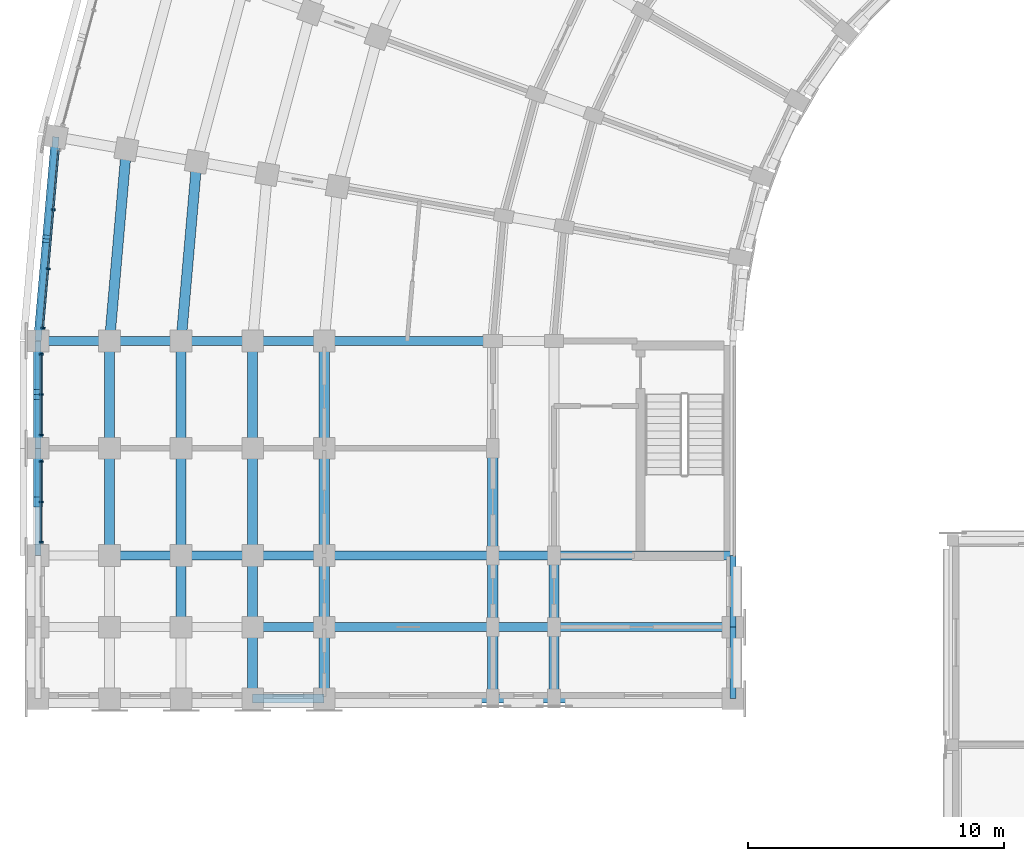
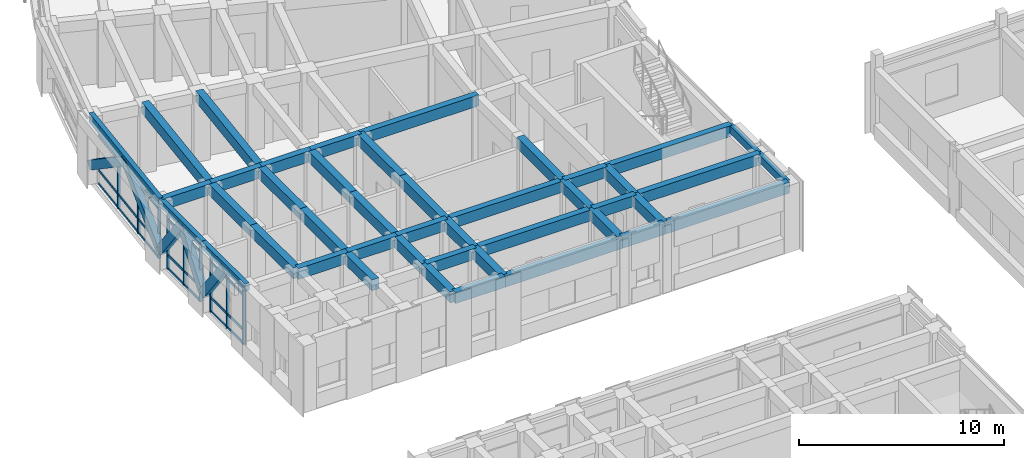
# One storey, part 18 of 97: 49 beams, 21 members, 3 elements without a shape of their own.
"""IFC4 building model written with IfcOpenShell, lengths in metres."""

import ifcopenshell
import ifcopenshell.guid

model = None  # the IFC model being written
_history = None  # IfcOwnerHistory: only IFC2X3 demands one
_inside = {}  # id of a spatial element -> (the spatial element, [elements in it])
_under = {}  # id of a project, library or spatial element -> (it, [spatial elements below it])
_declared = {}  # id of a project -> (the project, [libraries it declares])
_typed = {}  # id of a type object -> (the type object, [elements of that type])
_made_of = {}  # id of a material, layer set ... -> (it, [elements and type objects made of it])


def new_model(schema):
    """Start an empty IFC model of exactly this schema.

    Asked for "IFC4X3", IfcOpenShell would pick the latest addendum, in which some entities
    have other attributes; the version numbers below select the first issue.
    IFC2X3 requires an IfcOwnerHistory on every rooted entity: one is made here for all.
    """
    global model, _history
    if schema == "IFC4X3":
        model = ifcopenshell.file(schema_version=(4, 3, 0, 0))
    else:
        model = ifcopenshell.file(schema=schema)
    _inside.clear()
    _under.clear()
    _declared.clear()
    _typed.clear()
    _made_of.clear()
    _history = None
    if model.schema == "IFC2X3":
        org = make("IfcOrganization", Name="unknown")
        user = make(
            "IfcPersonAndOrganization",
            ThePerson=make("IfcPerson", FamilyName="unknown"),
            TheOrganization=org,
        )
        app = make(
            "IfcApplication",
            ApplicationDeveloper=org,
            Version="unknown",
            ApplicationFullName="unknown",
            ApplicationIdentifier="unknown",
        )
        _history = make(
            "IfcOwnerHistory",
            OwningUser=user,
            OwningApplication=app,
            ChangeAction="ADDED",
            CreationDate=0,
        )
    return model


def make(cls, **values):
    """One entity of the class cls with the attributes given. An attribute that is None is left unset."""
    return model.create_entity(
        cls, **{name: value for name, value in values.items() if value is not None}
    )


def rooted(cls, **values):
    """An entity with a GlobalId (a new one), such as an element, a storey or a relation."""
    return make(cls, GlobalId=ifcopenshell.guid.new(), OwnerHistory=_history, **values)


def si_unit(unit_type, name, prefix=None):
    """IfcSIUnit, for example si_unit("LENGTHUNIT", "METRE", prefix="MILLI")."""
    return make("IfcSIUnit", UnitType=unit_type, Prefix=prefix, Name=name)


def assignment(units):
    """IfcUnitAssignment: the units of a project."""
    return None if units is None else make("IfcUnitAssignment", Units=units)


def point(xyz):
    """IfcCartesianPoint."""
    return None if xyz is None else make("IfcCartesianPoint", Coordinates=xyz)


def direction(xyz):
    """IfcDirection."""
    return None if xyz is None else make("IfcDirection", DirectionRatios=xyz)


def frame(location, z_axis=None, x_axis=None):
    """IfcAxis2Placement3D, a coordinate frame: its origin and axes. An axis left out is left unset."""
    return make(
        "IfcAxis2Placement3D",
        Location=point(location),
        Axis=direction(z_axis),
        RefDirection=direction(x_axis),
    )


def frame_2d(location, x_axis=None):
    """IfcAxis2Placement2D, a coordinate frame in the plane: its origin and x axis."""
    return make(
        "IfcAxis2Placement2D", Location=point(location), RefDirection=direction(x_axis)
    )


def origin():
    """The frame at (0, 0, 0) with its axes left unset."""
    return frame((0.0, 0.0, 0.0))


def origin_2d():
    """The frame at (0, 0) in the plane with its x axis left unset."""
    return frame_2d((0.0, 0.0))


def place(relative_to, where):
    """IfcLocalPlacement: puts the frame where relative to a parent placement (None: the world)."""
    return make(
        "IfcLocalPlacement", PlacementRelTo=relative_to, RelativePlacement=where
    )


def context(
    kind, dimensions, precision=None, world=None, true_north=None, identifier=None
):
    """IfcGeometricRepresentationContext, for example the 3D "Model" context."""
    return make(
        "IfcGeometricRepresentationContext",
        ContextIdentifier=identifier,
        ContextType=kind,
        CoordinateSpaceDimension=dimensions,
        Precision=precision,
        WorldCoordinateSystem=world,
        TrueNorth=true_north,
    )


def subcontext(parent, identifier, kind, view, scale=None):
    """IfcGeometricRepresentationSubContext, for example "Body" below "Model"."""
    return make(
        "IfcGeometricRepresentationSubContext",
        ContextIdentifier=identifier,
        ContextType=kind,
        ParentContext=parent,
        TargetScale=scale,
        TargetView=view,
    )


def project(units=None, contexts=None):
    """IfcProject with its units and contexts."""
    return rooted(
        "IfcProject",
        Name="project",
        RepresentationContexts=contexts,
        UnitsInContext=assignment(units),
    )


def spatial(cls, under=None, at=None, **own):
    """A site, building, storey or space (cls), placed at a placement, below another one or the project."""
    s = rooted(cls, ObjectPlacement=at, **own)
    if under is not None:
        _under.setdefault(under.id(), (under, []))[1].append(s)
    return s


def profile(cls, at=None, kind="AREA", **sizes):
    """A parametric profile (cls). Its sizes go by their IFC names, for example OverallWidth=200.0."""
    return make(cls, ProfileType=kind, Position=at, **sizes)


def rectangle(**sizes):
    """IfcRectangleProfileDef."""
    return profile("IfcRectangleProfileDef", **sizes)


def extrude(swept, where, along, depth):
    """IfcExtrudedAreaSolid: the profile swept, set in the frame where, extruded along a direction by depth."""
    return make(
        "IfcExtrudedAreaSolid",
        SweptArea=swept,
        Position=where,
        ExtrudedDirection=direction(along),
        Depth=depth,
    )


def shape(context_of_items, identifier, shape_type, items):
    """IfcShapeRepresentation: the items that make up one representation, for example the "Body"."""
    return make(
        "IfcShapeRepresentation",
        ContextOfItems=context_of_items,
        RepresentationIdentifier=identifier,
        RepresentationType=shape_type,
        Items=items,
    )


def material(Name=None, Category=None):
    """IfcMaterial."""
    return make("IfcMaterial", Name=Name, Category=Category)


def material_profile(
    of_material, cross_section, Name=None, Category=None, Priority=None
):
    """IfcMaterialProfile: a cross section and its material."""
    return make(
        "IfcMaterialProfile",
        Name=Name,
        Material=of_material,
        Profile=cross_section,
        Priority=Priority,
        Category=Category,
    )


def profile_set(profiles, Name=None, composite=None):
    """IfcMaterialProfileSet."""
    return make(
        "IfcMaterialProfileSet",
        Name=Name,
        MaterialProfiles=profiles,
        CompositeProfile=composite,
    )


def made_of(thing, what):
    """Note that an element or type object is made of a material, layer set ...; save() writes the relation."""
    if what is not None:
        _made_of.setdefault(what.id(), (what, []))[1].append(thing)
    return thing


def type_object(cls, material=None, **own):
    """A type object (cls), such as IfcWallType, which elements share."""
    return made_of(rooted(cls, **own), material)


def element(
    cls,
    number,
    at=None,
    inside=None,
    cuts=None,
    type_object=None,
    material=None,
    context=None,
    identifier="Body",
    shape_type=None,
    held_by="IfcProductDefinitionShape",
    body=None,
    shapes=None,
    **own,
):
    """One element of the class cls, such as IfcWall. Its Tag is "e" and its number.

    at: its placement. inside: the storey or other place that contains it. cuts: it is an
    opening in that element (IfcRelVoidsElement). A single representation is given by context,
    identifier, shape_type and body (its items); several are given by shapes. held_by: the class
    of the entity that holds the representations. save() writes the other relations.
    """
    e = rooted(cls, Tag="e%d" % number, ObjectPlacement=at, **own)
    if body is not None:
        shapes = [shape(context, identifier, shape_type, body)]
    if shapes is not None:
        e.Representation = make(held_by, Representations=shapes)
    if inside is not None:
        _inside.setdefault(inside.id(), (inside, []))[1].append(e)
    if cuts is not None:
        rooted(
            "IfcRelVoidsElement", RelatingBuildingElement=cuts, RelatedOpeningElement=e
        )
    if type_object is not None:
        _typed.setdefault(type_object.id(), (type_object, []))[1].append(e)
    return made_of(e, material)


def aggregate(whole, parts):
    """IfcRelAggregates: a whole, such as a stair, and the parts it consists of."""
    return rooted("IfcRelAggregates", RelatingObject=whole, RelatedObjects=parts)


def save(model, path):
    """Write the relations noted so far, then the file.

    IfcRelAggregates (storeys below a building ...), IfcRelContainedInSpatialStructure (elements
    in a storey), IfcRelDefinesByType, IfcRelAssociatesMaterial and IfcRelDeclares: one each for
    every whole, place, type object, material and project.
    """
    for whole, parts in _under.values():
        aggregate(whole, parts)
    for where, things in _inside.values():
        rooted(
            "IfcRelContainedInSpatialStructure",
            RelatedElements=things,
            RelatingStructure=where,
        )
    for kind, things in _typed.values():
        rooted("IfcRelDefinesByType", RelatedObjects=things, RelatingType=kind)
    for what, things in _made_of.values():
        rooted("IfcRelAssociatesMaterial", RelatedObjects=things, RelatingMaterial=what)
    for by, libraries in _declared.values():
        rooted("IfcRelDeclares", RelatingContext=by, RelatedDefinitions=libraries)
    model.write(path)


model = new_model("IFC4")

# Units and contexts
model_context = context("Model", 3, precision=1e-05, world=origin(), true_north=direction((0.0, 1.0)))
body_context = subcontext(model_context, "Body", "Model", "MODEL_VIEW")
ifc_project = project(units=[si_unit("LENGTHUNIT", "METRE"), si_unit("AREAUNIT", "SQUARE_METRE"), si_unit("VOLUMEUNIT", "CUBIC_METRE"), si_unit("PLANEANGLEUNIT", "RADIAN"), si_unit("MASSUNIT", "GRAM", prefix="KILO")], contexts=[model_context])

# Site, building, storey
site_placement = place(None, origin())
site = spatial("IfcSite", under=ifc_project, at=site_placement, CompositionType="ELEMENT")
building_placement = place(site_placement, origin())
building = spatial("IfcBuilding", under=site, at=building_placement, Name="Kiranvali Square Residences", CompositionType="ELEMENT")
storey_placement = place(building_placement, frame((0.0, 0.0, 4.5)))
storey = spatial("IfcBuildingStorey", under=building, at=storey_placement, Name="L01", CompositionType="ELEMENT", Elevation=4.5)

# Beams
ifc_material_1 = material(Name="Concrete M40 (40 MPa)", Category="concrete")
ifc_material_profile_1 = material_profile(ifc_material_1, rectangle(XDim=0.35009765625, YDim=0.5, at=origin_2d()), Name="RC 350x500")
ifc_profile_set_1 = profile_set([ifc_material_profile_1], Name="Concrete M40 (40 MPa)")
beam_type_1 = type_object("IfcBeamType", Name="AR-M40-350x500", PredefinedType="USERDEFINED", material=ifc_profile_set_1)
for number, where, z_axis, x_axis, name in (
    (1, (2.895263671875, 95.748046875, 0.89990234375), (-0.07164281584, -0.818861711603, 0.569502242498), (0.996194518621, -0.087157794078, 0.0), "Classical pointed Ottoman arch rib ARCH-A-CRV-7-08.1"),
    (2, (2.54931640625, 91.7939453125, 3.64990234375), (-0.07164281584, -0.818861711603, -0.569502242498), (0.996194518621, -0.087157794078, 0.0), "Classical pointed Ottoman arch rib ARCH-A-CRV-7-08.2"),
):
    element("IfcBeam", number, at=place(storey_placement, frame(where, z_axis=z_axis, x_axis=x_axis)), inside=storey, type_object=beam_type_1, Name=name, ObjectType="ARCH RIB", PredefinedType="USERDEFINED", context=body_context, shape_type="SweptSolid", body=[
        extrude(rectangle(XDim=0.35009765625, YDim=0.5, at=origin_2d()), origin(), (0.0, 0.0, 1.0), 4.828857421875),
    ])
for number, where, z_axis, x_axis, name in (
    (3, (2.199951171875, 87.760009765625, 0.89990234375), (0.0, -0.599545163906, 0.800340925129), (1.0, 0.0, 0.0), "Classical pointed Ottoman arch rib ARCH-A-A2-0.1"),
    (4, (2.199951171875, 85.699951171875, 3.64990234375), (0.0, -0.599545163906, -0.800340925129), (1.0, 0.0, 0.0), "Classical pointed Ottoman arch rib ARCH-A-A2-0.2"),
    (5, (2.199951171875, 83.56005859375, 0.89990234375), (0.0, -0.599545163906, 0.800340925129), (1.0, 0.0, 0.0), "Classical pointed Ottoman arch rib ARCH-A-A2-1.1"),
):
    element("IfcBeam", number, at=place(storey_placement, frame(where, z_axis=z_axis, x_axis=x_axis)), inside=storey, type_object=beam_type_1, Name=name, ObjectType="ARCH RIB", PredefinedType="USERDEFINED", context=body_context, shape_type="SweptSolid", body=[
        extrude(rectangle(XDim=0.35009765625, YDim=0.5, at=origin_2d()), origin(), (0.0, 0.0, 1.0), 3.43603515625),
    ])
ifc_material_profile_2 = material_profile(ifc_material_1, rectangle(XDim=0.35009765625, YDim=0.64990234375, at=origin_2d()), Name="RC 350x650")
ifc_profile_set_2 = profile_set([ifc_material_profile_2], Name="Concrete M40 (40 MPa)")
beam_type_2 = type_object("IfcBeamType", Name="BM-M40-350x650", PredefinedType="BEAM", material=ifc_profile_set_2)
beam_1_placement = place(storey_placement, frame((20.0, 87.800048828125, 3.655029296875), z_axis=(-1.0, 0.0, 0.0), x_axis=(0.0, -1.0, 0.0)))
element("IfcBeam", 6, at=beam_1_placement, inside=storey, type_object=beam_type_2, Name="L01 beam BM-A-L01-A2T0-23", PredefinedType="BEAM", context=body_context, shape_type="SweptSolid", body=[
    extrude(rectangle(XDim=0.35009765625, YDim=0.64990234375, at=origin_2d()), origin(), (0.0, 0.0, 1.0), 6.60009765625),
])
beam_2_placement = place(storey_placement, frame((13.39990234375, 87.800048828125, 3.655029296875), z_axis=(-1.0, 0.0, 0.0), x_axis=(0.0, -1.0, 0.0)))
element("IfcBeam", 7, at=beam_2_placement, inside=storey, type_object=beam_type_2, Name="L01 beam BM-A-L01-A2T0-34", PredefinedType="BEAM", context=body_context, shape_type="SweptSolid", body=[
    extrude(rectangle(XDim=0.35009765625, YDim=0.64990234375, at=origin_2d()), origin(), (0.0, 0.0, 1.0), 2.7998046875),
])
for number, where, z_axis, x_axis, name in (
    (8, (10.60009765625, 87.800048828125, 3.655029296875), (-1.0, 0.0, 0.0), (0.0, -1.0, 0.0), "L01 beam BM-A-L01-A2T0-45"),
    (9, (7.800048828125, 87.800048828125, 3.655029296875), (-1.0, 0.0, 0.0), (0.0, -1.0, 0.0), "L01 beam BM-A-L01-A2T0-56"),
    (10, (5.0, 87.800048828125, 3.655029296875), (-1.0, 0.0, 0.0), (0.0, -1.0, 0.0), "L01 beam BM-A-L01-A2T0-67"),
):
    element("IfcBeam", number, at=place(storey_placement, frame(where, z_axis=z_axis, x_axis=x_axis)), inside=storey, type_object=beam_type_2, Name=name, PredefinedType="BEAM", context=body_context, shape_type="SweptSolid", body=[
        extrude(rectangle(XDim=0.35009765625, YDim=0.64990234375, at=origin_2d()), origin(), (0.0, 0.0, 1.0), 2.800048828125),
    ])
beam_3_placement = place(storey_placement, frame((29.39990234375, 79.39990234375, 3.655029296875), z_axis=(-1.0, 0.0, 0.0), x_axis=(0.0, -1.0, 0.0)))
element("IfcBeam", 11, at=beam_3_placement, inside=storey, type_object=beam_type_2, Name="L01 beam BM-A-L01-A2T1-01", PredefinedType="BEAM", context=body_context, shape_type="SweptSolid", body=[
    extrude(rectangle(XDim=0.35009765625, YDim=0.64990234375, at=origin_2d()), origin(), (0.0, 0.0, 1.0), 7.0),
])
beam_4_placement = place(storey_placement, frame((22.39990234375, 79.39990234375, 3.655029296875), z_axis=(-1.0, 0.0, 0.0), x_axis=(0.0, -1.0, 0.0)))
element("IfcBeam", 12, at=beam_4_placement, inside=storey, type_object=beam_type_2, Name="L01 beam BM-A-L01-A2T1-12", PredefinedType="BEAM", context=body_context, shape_type="SweptSolid", body=[
    extrude(rectangle(XDim=0.35009765625, YDim=0.64990234375, at=origin_2d()), origin(), (0.0, 0.0, 1.0), 2.39990234375),
])
beam_5_placement = place(storey_placement, frame((20.0, 79.39990234375, 3.655029296875), z_axis=(-1.0, 0.0, 0.0), x_axis=(0.0, -1.0, 0.0)))
element("IfcBeam", 13, at=beam_5_placement, inside=storey, type_object=beam_type_2, Name="L01 beam BM-A-L01-A2T1-23", PredefinedType="BEAM", context=body_context, shape_type="SweptSolid", body=[
    extrude(rectangle(XDim=0.35009765625, YDim=0.64990234375, at=origin_2d()), origin(), (0.0, 0.0, 1.0), 6.60009765625),
])
beam_6_placement = place(storey_placement, frame((13.39990234375, 79.39990234375, 3.655029296875), z_axis=(-1.0, 0.0, 0.0), x_axis=(0.0, -1.0, 0.0)))
element("IfcBeam", 14, at=beam_6_placement, inside=storey, type_object=beam_type_2, Name="L01 beam BM-A-L01-A2T1-34", PredefinedType="BEAM", context=body_context, shape_type="SweptSolid", body=[
    extrude(rectangle(XDim=0.35009765625, YDim=0.64990234375, at=origin_2d()), origin(), (0.0, 0.0, 1.0), 2.7998046875),
])
for number, where, z_axis, x_axis, name in (
    (15, (10.60009765625, 79.39990234375, 3.655029296875), (-1.0, 0.0, 0.0), (0.0, -1.0, 0.0), "L01 beam BM-A-L01-A2T1-45"),
    (16, (7.800048828125, 79.39990234375, 3.655029296875), (-1.0, 0.0, 0.0), (0.0, -1.0, 0.0), "L01 beam BM-A-L01-A2T1-56"),
):
    element("IfcBeam", number, at=place(storey_placement, frame(where, z_axis=z_axis, x_axis=x_axis)), inside=storey, type_object=beam_type_2, Name=name, PredefinedType="BEAM", context=body_context, shape_type="SweptSolid", body=[
        extrude(rectangle(XDim=0.35009765625, YDim=0.64990234375, at=origin_2d()), origin(), (0.0, 0.0, 1.0), 2.800048828125),
    ])
beam_7_placement = place(storey_placement, frame((29.39990234375, 76.60009765625, 3.655029296875), z_axis=(-1.0, 0.0, 0.0), x_axis=(0.0, -1.0, 0.0)))
element("IfcBeam", 17, at=beam_7_placement, inside=storey, type_object=beam_type_2, Name="L01 beam BM-A-L01-A2T2-01", PredefinedType="BEAM", context=body_context, shape_type="SweptSolid", body=[
    extrude(rectangle(XDim=0.35009765625, YDim=0.64990234375, at=origin_2d()), origin(), (0.0, 0.0, 1.0), 7.0),
])
beam_8_placement = place(storey_placement, frame((22.39990234375, 76.60009765625, 3.655029296875), z_axis=(-1.0, 0.0, 0.0), x_axis=(0.0, -1.0, 0.0)))
element("IfcBeam", 18, at=beam_8_placement, inside=storey, type_object=beam_type_2, Name="L01 beam BM-A-L01-A2T2-12", PredefinedType="BEAM", context=body_context, shape_type="SweptSolid", body=[
    extrude(rectangle(XDim=0.35009765625, YDim=0.64990234375, at=origin_2d()), origin(), (0.0, 0.0, 1.0), 2.39990234375),
])
beam_9_placement = place(storey_placement, frame((20.0, 76.60009765625, 3.655029296875), z_axis=(-1.0, 0.0, 0.0), x_axis=(0.0, -1.0, 0.0)))
element("IfcBeam", 19, at=beam_9_placement, inside=storey, type_object=beam_type_2, Name="L01 beam BM-A-L01-A2T2-23", PredefinedType="BEAM", context=body_context, shape_type="SweptSolid", body=[
    extrude(rectangle(XDim=0.35009765625, YDim=0.64990234375, at=origin_2d()), origin(), (0.0, 0.0, 1.0), 6.60009765625),
])
beam_10_placement = place(storey_placement, frame((13.39990234375, 76.60009765625, 3.655029296875), z_axis=(-1.0, 0.0, 0.0), x_axis=(0.0, -1.0, 0.0)))
element("IfcBeam", 20, at=beam_10_placement, inside=storey, type_object=beam_type_2, Name="L01 beam BM-A-L01-A2T2-34", PredefinedType="BEAM", context=body_context, shape_type="SweptSolid", body=[
    extrude(rectangle(XDim=0.35009765625, YDim=0.64990234375, at=origin_2d()), origin(), (0.0, 0.0, 1.0), 2.7998046875),
])
beam_11_placement = place(storey_placement, frame((29.39990234375, 73.800048828125, 3.655029296875), z_axis=(-1.0, 0.0, 0.0), x_axis=(0.0, -1.0, 0.0)))
element("IfcBeam", 21, at=beam_11_placement, inside=storey, type_object=beam_type_2, Name="L01 beam BM-A-L01-A2T3-01", PredefinedType="BEAM", context=body_context, shape_type="SweptSolid", body=[
    extrude(rectangle(XDim=0.35009765625, YDim=0.64990234375, at=origin_2d()), origin(), (0.0, 0.0, 1.0), 7.0),
])
beam_12_placement = place(storey_placement, frame((22.39990234375, 73.800048828125, 3.655029296875), z_axis=(-1.0, 0.0, 0.0), x_axis=(0.0, -1.0, 0.0)))
element("IfcBeam", 22, at=beam_12_placement, inside=storey, type_object=beam_type_2, Name="L01 beam BM-A-L01-A2T3-12", PredefinedType="BEAM", context=body_context, shape_type="SweptSolid", body=[
    extrude(rectangle(XDim=0.35009765625, YDim=0.64990234375, at=origin_2d()), origin(), (0.0, 0.0, 1.0), 2.39990234375),
])
beam_13_placement = place(storey_placement, frame((20.0, 73.800048828125, 3.655029296875), z_axis=(-1.0, 0.0, 0.0), x_axis=(0.0, -1.0, 0.0)))
element("IfcBeam", 23, at=beam_13_placement, inside=storey, type_object=beam_type_2, Name="L01 beam BM-A-L01-A2T3-23", PredefinedType="BEAM", context=body_context, shape_type="SweptSolid", body=[
    extrude(rectangle(XDim=0.35009765625, YDim=0.64990234375, at=origin_2d()), origin(), (0.0, 0.0, 1.0), 6.60009765625),
])
beam_14_placement = place(storey_placement, frame((13.39990234375, 73.800048828125, 3.655029296875), z_axis=(-1.0, 0.0, 0.0), x_axis=(0.0, -1.0, 0.0)))
element("IfcBeam", 24, at=beam_14_placement, inside=storey, type_object=beam_type_2, Name="L01 beam BM-A-L01-A2T3-34", PredefinedType="BEAM", context=body_context, shape_type="SweptSolid", body=[
    extrude(rectangle(XDim=0.35009765625, YDim=0.64990234375, at=origin_2d()), origin(), (0.0, 0.0, 1.0), 2.7998046875),
])
ifc_material_2 = material(Name="Concrete M45 (45 MPa)", Category="concrete")
ifc_material_profile_3 = material_profile(ifc_material_2, rectangle(XDim=0.39990234375, YDim=0.64990234375, at=origin_2d()), Name="RC 400x650")
ifc_profile_set_3 = profile_set([ifc_material_profile_3], Name="Concrete M45 (45 MPa)")
beam_type_3 = type_object("IfcBeamType", Name="BM-M45-400x650", PredefinedType="BEAM", material=ifc_profile_set_3)
beam_15_placement = place(storey_placement, frame((8.413818359375, 94.8154296875, 3.655029296875), z_axis=(-0.087156198737, -0.996194658198, 0.0), x_axis=(0.996194658198, -0.087156198737, 0.0)))
element("IfcBeam", 25, at=beam_15_placement, inside=storey, type_object=beam_type_3, Name="L01 beam BM-A-L01-C08-R5", PredefinedType="BEAM", context=body_context, shape_type="SweptSolid", body=[
    extrude(rectangle(XDim=0.39990234375, YDim=0.64990234375, at=origin_2d()), origin(), (0.0, 0.0, 1.0), 7.042236328125),
])
beam_16_placement = place(storey_placement, frame((5.65625, 95.301513671875, 3.655029296875), z_axis=(-0.087150058103, -0.996195195417, 0.0), x_axis=(0.996195195417, -0.087150058103, 0.0)))
element("IfcBeam", 26, at=beam_16_placement, inside=storey, type_object=beam_type_3, Name="L01 beam BM-A-L01-C08-R6", PredefinedType="BEAM", context=body_context, shape_type="SweptSolid", body=[
    extrude(rectangle(XDim=0.39990234375, YDim=0.64990234375, at=origin_2d()), origin(), (0.0, 0.0, 1.0), 7.530029296875),
])
beam_17_placement = place(storey_placement, frame((22.39990234375, 79.39990234375, 3.655029296875), z_axis=(0.0, -1.0, 0.0), x_axis=(1.0, 0.0, 0.0)))
element("IfcBeam", 27, at=beam_17_placement, inside=storey, type_object=beam_type_3, Name="L01 beam BM-A-L01-A2V1-R1", PredefinedType="BEAM", context=body_context, shape_type="SweptSolid", body=[
    extrude(rectangle(XDim=0.39990234375, YDim=0.64990234375, at=origin_2d()), origin(), (0.0, 0.0, 1.0), 2.7998046875),
])
beam_18_placement = place(storey_placement, frame((22.39990234375, 76.60009765625, 3.655029296875), z_axis=(0.0, -1.0, 0.0), x_axis=(1.0, 0.0, 0.0)))
element("IfcBeam", 28, at=beam_18_placement, inside=storey, type_object=beam_type_3, Name="L01 beam BM-A-L01-A2V2-R1", PredefinedType="BEAM", context=body_context, shape_type="SweptSolid", body=[
    extrude(rectangle(XDim=0.39990234375, YDim=0.64990234375, at=origin_2d()), origin(), (0.0, 0.0, 1.0), 2.800048828125),
])
beam_19_placement = place(storey_placement, frame((20.0, 83.60009765625, 3.655029296875), z_axis=(0.0, -1.0, 0.0), x_axis=(1.0, 0.0, 0.0)))
element("IfcBeam", 29, at=beam_19_placement, inside=storey, type_object=beam_type_3, Name="L01 beam BM-A-L01-A2V1-R2", PredefinedType="BEAM", context=body_context, shape_type="SweptSolid", body=[
    extrude(rectangle(XDim=0.39990234375, YDim=0.64990234375, at=origin_2d()), origin(), (0.0, 0.0, 1.0), 4.2001953125),
])
beam_20_placement = place(storey_placement, frame((20.0, 79.39990234375, 3.655029296875), z_axis=(0.0, -1.0, 0.0), x_axis=(1.0, 0.0, 0.0)))
element("IfcBeam", 30, at=beam_20_placement, inside=storey, type_object=beam_type_3, Name="L01 beam BM-A-L01-A2V2-R2", PredefinedType="BEAM", context=body_context, shape_type="SweptSolid", body=[
    extrude(rectangle(XDim=0.39990234375, YDim=0.64990234375, at=origin_2d()), origin(), (0.0, 0.0, 1.0), 2.7998046875),
])
beam_21_placement = place(storey_placement, frame((20.0, 76.60009765625, 3.655029296875), z_axis=(0.0, -1.0, 0.0), x_axis=(1.0, 0.0, 0.0)))
element("IfcBeam", 31, at=beam_21_placement, inside=storey, type_object=beam_type_3, Name="L01 beam BM-A-L01-A2V3-R2", PredefinedType="BEAM", context=body_context, shape_type="SweptSolid", body=[
    extrude(rectangle(XDim=0.39990234375, YDim=0.64990234375, at=origin_2d()), origin(), (0.0, 0.0, 1.0), 2.800048828125),
])
beam_22_placement = place(storey_placement, frame((13.39990234375, 87.800048828125, 3.655029296875), z_axis=(0.0, -1.0, 0.0), x_axis=(1.0, 0.0, 0.0)))
element("IfcBeam", 32, at=beam_22_placement, inside=storey, type_object=beam_type_3, Name="L01 beam BM-A-L01-A2V0-R3", PredefinedType="BEAM", context=body_context, shape_type="SweptSolid", body=[
    extrude(rectangle(XDim=0.39990234375, YDim=0.64990234375, at=origin_2d()), origin(), (0.0, 0.0, 1.0), 4.199951171875),
])
beam_23_placement = place(storey_placement, frame((13.39990234375, 83.60009765625, 3.655029296875), z_axis=(0.0, -1.0, 0.0), x_axis=(1.0, 0.0, 0.0)))
element("IfcBeam", 33, at=beam_23_placement, inside=storey, type_object=beam_type_3, Name="L01 beam BM-A-L01-A2V1-R3", PredefinedType="BEAM", context=body_context, shape_type="SweptSolid", body=[
    extrude(rectangle(XDim=0.39990234375, YDim=0.64990234375, at=origin_2d()), origin(), (0.0, 0.0, 1.0), 4.2001953125),
])
beam_24_placement = place(storey_placement, frame((13.39990234375, 79.39990234375, 3.655029296875), z_axis=(0.0, -1.0, 0.0), x_axis=(1.0, 0.0, 0.0)))
element("IfcBeam", 34, at=beam_24_placement, inside=storey, type_object=beam_type_3, Name="L01 beam BM-A-L01-A2V2-R3", PredefinedType="BEAM", context=body_context, shape_type="SweptSolid", body=[
    extrude(rectangle(XDim=0.39990234375, YDim=0.64990234375, at=origin_2d()), origin(), (0.0, 0.0, 1.0), 2.7998046875),
])
beam_25_placement = place(storey_placement, frame((13.39990234375, 76.60009765625, 3.655029296875), z_axis=(0.0, -1.0, 0.0), x_axis=(1.0, 0.0, 0.0)))
element("IfcBeam", 35, at=beam_25_placement, inside=storey, type_object=beam_type_3, Name="L01 beam BM-A-L01-A2V3-R3", PredefinedType="BEAM", context=body_context, shape_type="SweptSolid", body=[
    extrude(rectangle(XDim=0.39990234375, YDim=0.64990234375, at=origin_2d()), origin(), (0.0, 0.0, 1.0), 2.800048828125),
])
beam_26_placement = place(storey_placement, frame((10.60009765625, 87.800048828125, 3.655029296875), z_axis=(0.0, -1.0, 0.0), x_axis=(1.0, 0.0, 0.0)))
element("IfcBeam", 36, at=beam_26_placement, inside=storey, type_object=beam_type_3, Name="L01 beam BM-A-L01-A2V0-R4", PredefinedType="BEAM", context=body_context, shape_type="SweptSolid", body=[
    extrude(rectangle(XDim=0.39990234375, YDim=0.64990234375, at=origin_2d()), origin(), (0.0, 0.0, 1.0), 4.199951171875),
])
beam_27_placement = place(storey_placement, frame((10.60009765625, 83.60009765625, 3.655029296875), z_axis=(0.0, -1.0, 0.0), x_axis=(1.0, 0.0, 0.0)))
element("IfcBeam", 37, at=beam_27_placement, inside=storey, type_object=beam_type_3, Name="L01 beam BM-A-L01-A2V1-R4", PredefinedType="BEAM", context=body_context, shape_type="SweptSolid", body=[
    extrude(rectangle(XDim=0.39990234375, YDim=0.64990234375, at=origin_2d()), origin(), (0.0, 0.0, 1.0), 4.2001953125),
])
beam_28_placement = place(storey_placement, frame((10.60009765625, 79.39990234375, 3.655029296875), z_axis=(0.0, -1.0, 0.0), x_axis=(1.0, 0.0, 0.0)))
element("IfcBeam", 38, at=beam_28_placement, inside=storey, type_object=beam_type_3, Name="L01 beam BM-A-L01-A2V2-R4", PredefinedType="BEAM", context=body_context, shape_type="SweptSolid", body=[
    extrude(rectangle(XDim=0.39990234375, YDim=0.64990234375, at=origin_2d()), origin(), (0.0, 0.0, 1.0), 2.7998046875),
])
beam_29_placement = place(storey_placement, frame((10.60009765625, 76.60009765625, 3.655029296875), z_axis=(0.0, -1.0, 0.0), x_axis=(1.0, 0.0, 0.0)))
element("IfcBeam", 39, at=beam_29_placement, inside=storey, type_object=beam_type_3, Name="L01 beam BM-A-L01-A2V3-R4", PredefinedType="BEAM", context=body_context, shape_type="SweptSolid", body=[
    extrude(rectangle(XDim=0.39990234375, YDim=0.64990234375, at=origin_2d()), origin(), (0.0, 0.0, 1.0), 2.800048828125),
])
beam_30_placement = place(storey_placement, frame((7.800048828125, 87.800048828125, 3.655029296875), z_axis=(0.0, -1.0, 0.0), x_axis=(1.0, 0.0, 0.0)))
element("IfcBeam", 40, at=beam_30_placement, inside=storey, type_object=beam_type_3, Name="L01 beam BM-A-L01-A2V0-R5", PredefinedType="BEAM", context=body_context, shape_type="SweptSolid", body=[
    extrude(rectangle(XDim=0.39990234375, YDim=0.64990234375, at=origin_2d()), origin(), (0.0, 0.0, 1.0), 4.199951171875),
])
beam_31_placement = place(storey_placement, frame((7.800048828125, 83.60009765625, 3.655029296875), z_axis=(0.0, -1.0, 0.0), x_axis=(1.0, 0.0, 0.0)))
element("IfcBeam", 41, at=beam_31_placement, inside=storey, type_object=beam_type_3, Name="L01 beam BM-A-L01-A2V1-R5", PredefinedType="BEAM", context=body_context, shape_type="SweptSolid", body=[
    extrude(rectangle(XDim=0.39990234375, YDim=0.64990234375, at=origin_2d()), origin(), (0.0, 0.0, 1.0), 4.2001953125),
])
beam_32_placement = place(storey_placement, frame((7.800048828125, 79.39990234375, 3.655029296875), z_axis=(0.0, -1.0, 0.0), x_axis=(1.0, 0.0, 0.0)))
element("IfcBeam", 42, at=beam_32_placement, inside=storey, type_object=beam_type_3, Name="L01 beam BM-A-L01-A2V2-R5", PredefinedType="BEAM", context=body_context, shape_type="SweptSolid", body=[
    extrude(rectangle(XDim=0.39990234375, YDim=0.64990234375, at=origin_2d()), origin(), (0.0, 0.0, 1.0), 2.7998046875),
])
beam_33_placement = place(storey_placement, frame((5.0, 87.800048828125, 3.655029296875), z_axis=(0.0, -1.0, 0.0), x_axis=(1.0, 0.0, 0.0)))
element("IfcBeam", 43, at=beam_33_placement, inside=storey, type_object=beam_type_3, Name="L01 beam BM-A-L01-A2V0-R6", PredefinedType="BEAM", context=body_context, shape_type="SweptSolid", body=[
    extrude(rectangle(XDim=0.39990234375, YDim=0.64990234375, at=origin_2d()), origin(), (0.0, 0.0, 1.0), 4.199951171875),
])
beam_34_placement = place(storey_placement, frame((5.0, 83.60009765625, 3.655029296875), z_axis=(0.0, -1.0, 0.0), x_axis=(1.0, 0.0, 0.0)))
element("IfcBeam", 44, at=beam_34_placement, inside=storey, type_object=beam_type_3, Name="L01 beam BM-A-L01-A2V1-R6", PredefinedType="BEAM", context=body_context, shape_type="SweptSolid", body=[
    extrude(rectangle(XDim=0.39990234375, YDim=0.64990234375, at=origin_2d()), origin(), (0.0, 0.0, 1.0), 4.2001953125),
])

# Curtain wall, members
ifc_material_3 = material(Name="Anodised bronze aluminium framing", Category="aluminium")
curtain_wall_type = type_object("IfcCurtainWallType", Name="CW-RET-SHOP", PredefinedType="USERDEFINED", material=ifc_material_3)
curtain_wall_1_placement = place(storey_placement, origin())
curtain_wall_1 = element("IfcCurtainWall", 45, at=curtain_wall_1_placement, inside=storey, type_object=curtain_wall_type, Name="Block A L01 rounded-corner arcade curtain wall 9", ObjectType="CURTAIN WALL", PredefinedType="USERDEFINED")
ifc_material_profile_4 = material_profile(ifc_material_3, rectangle(XDim=0.06494140625, YDim=0.159912109375, at=origin_2d()), Name="ALU 65x160")
ifc_profile_set_4 = profile_set([ifc_material_profile_4], Name="Anodised bronze aluminium framing")
member_type_1 = type_object("IfcMemberType", Name="CW-MUL-160", PredefinedType="MULLION", material=ifc_profile_set_4)
member_1_placement = place(storey_placement, frame((2.80029296875, 92.939453125, 0.02001953125), z_axis=(0.0, 0.0, 1.0), x_axis=(-0.087155742748, -0.996194698092, 0.0)))
member_1 = element("IfcMember", 46, at=member_1_placement, type_object=member_type_1, Name="CW-A-L01-CRV-08 vertical mullion 2", PredefinedType="MULLION", context=body_context, shape_type="SweptSolid", body=[
    extrude(rectangle(XDim=0.06494140625, YDim=0.159912109375, at=origin_2d()), origin(), (0.0, 0.0, 1.0), 3.43994140625),
])
member_2_placement = place(storey_placement, frame((2.597412109375, 90.622314453125, 0.02001953125), z_axis=(0.0, 0.0, 1.0), x_axis=(-0.087155742748, -0.996194698092, 0.0)))
member_2 = element("IfcMember", 47, at=member_2_placement, type_object=member_type_1, Name="CW-A-L01-CRV-08 vertical mullion 3", PredefinedType="MULLION", context=body_context, shape_type="SweptSolid", body=[
    extrude(rectangle(XDim=0.06494140625, YDim=0.159912109375, at=origin_2d()), origin(), (0.0, 0.0, 1.0), 3.43994140625),
])
member_3_placement = place(storey_placement, frame((2.394775390625, 88.304931640625, 0.02001953125), z_axis=(0.0, 0.0, 1.0), x_axis=(-0.087155742748, -0.996194698092, 0.0)))
member_3 = element("IfcMember", 48, at=member_3_placement, type_object=member_type_1, Name="CW-A-L01-CRV-08 vertical mullion 4", PredefinedType="MULLION", context=body_context, shape_type="SweptSolid", body=[
    extrude(rectangle(XDim=0.06494140625, YDim=0.159912109375, at=origin_2d()), origin(), (0.0, 0.0, 1.0), 3.43994140625),
])

curtain_wall_2_placement = place(storey_placement, origin())
curtain_wall_2 = element("IfcCurtainWall", 49, at=curtain_wall_2_placement, inside=storey, type_object=curtain_wall_type, Name="L01 curtain wall CW-A-L01-A2-0", ObjectType="CURTAIN WALL", PredefinedType="USERDEFINED")
member_4_placement = place(storey_placement, frame((2.320068359375, 87.280029296875, 0.02001953125), z_axis=(0.0, 0.0, 1.0), x_axis=(0.0, -1.0, 0.0)))
member_4 = element("IfcMember", 50, at=member_4_placement, type_object=member_type_1, Name="CW-A-L01-A2-0 vertical mullion 1", PredefinedType="MULLION", context=body_context, shape_type="SweptSolid", body=[
    extrude(rectangle(XDim=0.06494140625, YDim=0.159912109375, at=origin_2d()), origin(), (0.0, 0.0, 1.0), 3.43994140625),
])
member_5_placement = place(storey_placement, frame((2.320068359375, 85.699951171875, 0.02001953125), z_axis=(0.0, 0.0, 1.0), x_axis=(0.0, -1.0, 0.0)))
member_5 = element("IfcMember", 51, at=member_5_placement, type_object=member_type_1, Name="CW-A-L01-A2-0 vertical mullion 2", PredefinedType="MULLION", context=body_context, shape_type="SweptSolid", body=[
    extrude(rectangle(XDim=0.06494140625, YDim=0.159912109375, at=origin_2d()), origin(), (0.0, 0.0, 1.0), 3.43994140625),
])
member_6_placement = place(storey_placement, frame((2.320068359375, 84.1201171875, 0.02001953125), z_axis=(0.0, 0.0, 1.0), x_axis=(0.0, -1.0, 0.0)))
member_6 = element("IfcMember", 52, at=member_6_placement, type_object=member_type_1, Name="CW-A-L01-A2-0 vertical mullion 3", PredefinedType="MULLION", context=body_context, shape_type="SweptSolid", body=[
    extrude(rectangle(XDim=0.06494140625, YDim=0.159912109375, at=origin_2d()), origin(), (0.0, 0.0, 1.0), 3.43994140625),
])

curtain_wall_3_placement = place(storey_placement, origin())
curtain_wall_3 = element("IfcCurtainWall", 53, at=curtain_wall_3_placement, inside=storey, type_object=curtain_wall_type, Name="L01 curtain wall CW-A-L01-A2-1", ObjectType="CURTAIN WALL", PredefinedType="USERDEFINED")
member_7_placement = place(storey_placement, frame((2.320068359375, 83.080078125, 0.02001953125), z_axis=(0.0, 0.0, 1.0), x_axis=(0.0, -1.0, 0.0)))
member_7 = element("IfcMember", 54, at=member_7_placement, type_object=member_type_1, Name="CW-A-L01-A2-1 vertical mullion 1", PredefinedType="MULLION", context=body_context, shape_type="SweptSolid", body=[
    extrude(rectangle(XDim=0.06494140625, YDim=0.159912109375, at=origin_2d()), origin(), (0.0, 0.0, 1.0), 3.43994140625),
])
member_8_placement = place(storey_placement, frame((2.320068359375, 81.5, 0.02001953125), z_axis=(0.0, 0.0, 1.0), x_axis=(0.0, -1.0, 0.0)))
member_8 = element("IfcMember", 55, at=member_8_placement, type_object=member_type_1, Name="CW-A-L01-A2-1 vertical mullion 2", PredefinedType="MULLION", context=body_context, shape_type="SweptSolid", body=[
    extrude(rectangle(XDim=0.06494140625, YDim=0.159912109375, at=origin_2d()), origin(), (0.0, 0.0, 1.0), 3.43994140625),
])
member_9_placement = place(storey_placement, frame((2.320068359375, 79.919921875, 0.02001953125), z_axis=(0.0, 0.0, 1.0), x_axis=(0.0, -1.0, 0.0)))
member_9 = element("IfcMember", 56, at=member_9_placement, type_object=member_type_1, Name="CW-A-L01-A2-1 vertical mullion 3", PredefinedType="MULLION", context=body_context, shape_type="SweptSolid", body=[
    extrude(rectangle(XDim=0.06494140625, YDim=0.159912109375, at=origin_2d()), origin(), (0.0, 0.0, 1.0), 3.43994140625),
])

# Member
ifc_material_profile_5 = material_profile(ifc_material_3, rectangle(XDim=0.06494140625, YDim=0.139892578125, at=origin_2d()), Name="ALU 65x140")
ifc_profile_set_5 = profile_set([ifc_material_profile_5], Name="Anodised bronze aluminium framing")
member_type_2 = type_object("IfcMemberType", Name="CW-TRN-140", PredefinedType="MULLION", material=ifc_profile_set_5)
member_10_placement = place(storey_placement, frame((3.002197265625, 95.246826171875, 0.0400390625), z_axis=(-0.087188277046, -0.996191851174, 0.0), x_axis=(0.996191851174, -0.087188277046, 0.0)))
member_10 = element("IfcMember", 57, at=member_10_placement, type_object=member_type_2, Name="CW-A-L01-CRV-08 horizontal transom 1", PredefinedType="MULLION", context=body_context, shape_type="SweptSolid", body=[
    extrude(rectangle(XDim=0.06494140625, YDim=0.139892578125, at=origin_2d()), origin(), (0.0, 0.0, 1.0), 6.95849609375),
])

member_11_placement = place(storey_placement, frame((3.002197265625, 95.246826171875, 0.85009765625), z_axis=(-0.087188277046, -0.996191851174, 0.0), x_axis=(0.996191851174, -0.087188277046, 0.0)))
member_11 = element("IfcMember", 58, at=member_11_placement, type_object=member_type_2, Name="CW-A-L01-CRV-08 horizontal transom 2", PredefinedType="MULLION", context=body_context, shape_type="SweptSolid", body=[
    extrude(rectangle(XDim=0.06494140625, YDim=0.139892578125, at=origin_2d()), origin(), (0.0, 0.0, 1.0), 6.95849609375),
])

member_12_placement = place(storey_placement, frame((3.002197265625, 95.246826171875, 2.929931640625), z_axis=(-0.087188277046, -0.996191851174, 0.0), x_axis=(0.996191851174, -0.087188277046, 0.0)))
member_12 = element("IfcMember", 59, at=member_12_placement, type_object=member_type_2, Name="CW-A-L01-CRV-08 horizontal transom 3", PredefinedType="MULLION", context=body_context, shape_type="SweptSolid", body=[
    extrude(rectangle(XDim=0.06494140625, YDim=0.139892578125, at=origin_2d()), origin(), (0.0, 0.0, 1.0), 6.95849609375),
])

member_13_placement = place(storey_placement, frame((3.002197265625, 95.246826171875, 3.43994140625), z_axis=(-0.087188277046, -0.996191851174, 0.0), x_axis=(0.996191851174, -0.087188277046, 0.0)))
member_13 = element("IfcMember", 60, at=member_13_placement, type_object=member_type_2, Name="CW-A-L01-CRV-08 horizontal transom 4", PredefinedType="MULLION", context=body_context, shape_type="SweptSolid", body=[
    extrude(rectangle(XDim=0.06494140625, YDim=0.139892578125, at=origin_2d()), origin(), (0.0, 0.0, 1.0), 6.95849609375),
])

aggregate(curtain_wall_1, [member_1, member_2, member_3, member_10, member_11, member_12, member_13])

member_14_placement = place(storey_placement, frame((2.320068359375, 87.27001953125, 0.0400390625), z_axis=(0.0, -1.0, 0.0), x_axis=(1.0, 0.0, 0.0)))
member_14 = element("IfcMember", 61, at=member_14_placement, type_object=member_type_2, Name="CW-A-L01-A2-0 horizontal transom 1", PredefinedType="MULLION", context=body_context, shape_type="SweptSolid", body=[
    extrude(rectangle(XDim=0.06494140625, YDim=0.139892578125, at=origin_2d()), origin(), (0.0, 0.0, 1.0), 3.14013671875),
])

member_15_placement = place(storey_placement, frame((2.320068359375, 87.27001953125, 0.85009765625), z_axis=(0.0, -1.0, 0.0), x_axis=(1.0, 0.0, 0.0)))
member_15 = element("IfcMember", 62, at=member_15_placement, type_object=member_type_2, Name="CW-A-L01-A2-0 horizontal transom 2", PredefinedType="MULLION", context=body_context, shape_type="SweptSolid", body=[
    extrude(rectangle(XDim=0.06494140625, YDim=0.139892578125, at=origin_2d()), origin(), (0.0, 0.0, 1.0), 3.14013671875),
])

member_16_placement = place(storey_placement, frame((2.320068359375, 87.27001953125, 2.929931640625), z_axis=(0.0, -1.0, 0.0), x_axis=(1.0, 0.0, 0.0)))
member_16 = element("IfcMember", 63, at=member_16_placement, type_object=member_type_2, Name="CW-A-L01-A2-0 horizontal transom 3", PredefinedType="MULLION", context=body_context, shape_type="SweptSolid", body=[
    extrude(rectangle(XDim=0.06494140625, YDim=0.139892578125, at=origin_2d()), origin(), (0.0, 0.0, 1.0), 3.14013671875),
])

member_17_placement = place(storey_placement, frame((2.320068359375, 87.27001953125, 3.43994140625), z_axis=(0.0, -1.0, 0.0), x_axis=(1.0, 0.0, 0.0)))
member_17 = element("IfcMember", 64, at=member_17_placement, type_object=member_type_2, Name="CW-A-L01-A2-0 horizontal transom 4", PredefinedType="MULLION", context=body_context, shape_type="SweptSolid", body=[
    extrude(rectangle(XDim=0.06494140625, YDim=0.139892578125, at=origin_2d()), origin(), (0.0, 0.0, 1.0), 3.14013671875),
])

aggregate(curtain_wall_2, [member_4, member_5, member_6, member_14, member_15, member_16, member_17])

member_18_placement = place(storey_placement, frame((2.320068359375, 83.070068359375, 0.0400390625), z_axis=(0.0, -1.0, 0.0), x_axis=(1.0, 0.0, 0.0)))
member_18 = element("IfcMember", 65, at=member_18_placement, type_object=member_type_2, Name="CW-A-L01-A2-1 horizontal transom 1", PredefinedType="MULLION", context=body_context, shape_type="SweptSolid", body=[
    extrude(rectangle(XDim=0.06494140625, YDim=0.139892578125, at=origin_2d()), origin(), (0.0, 0.0, 1.0), 3.14013671875),
])

member_19_placement = place(storey_placement, frame((2.320068359375, 83.070068359375, 0.85009765625), z_axis=(0.0, -1.0, 0.0), x_axis=(1.0, 0.0, 0.0)))
member_19 = element("IfcMember", 66, at=member_19_placement, type_object=member_type_2, Name="CW-A-L01-A2-1 horizontal transom 2", PredefinedType="MULLION", context=body_context, shape_type="SweptSolid", body=[
    extrude(rectangle(XDim=0.06494140625, YDim=0.139892578125, at=origin_2d()), origin(), (0.0, 0.0, 1.0), 3.14013671875),
])

member_20_placement = place(storey_placement, frame((2.320068359375, 83.070068359375, 2.929931640625), z_axis=(0.0, -1.0, 0.0), x_axis=(1.0, 0.0, 0.0)))
member_20 = element("IfcMember", 67, at=member_20_placement, type_object=member_type_2, Name="CW-A-L01-A2-1 horizontal transom 3", PredefinedType="MULLION", context=body_context, shape_type="SweptSolid", body=[
    extrude(rectangle(XDim=0.06494140625, YDim=0.139892578125, at=origin_2d()), origin(), (0.0, 0.0, 1.0), 3.14013671875),
])

member_21_placement = place(storey_placement, frame((2.320068359375, 83.070068359375, 3.43994140625), z_axis=(0.0, -1.0, 0.0), x_axis=(1.0, 0.0, 0.0)))
member_21 = element("IfcMember", 68, at=member_21_placement, type_object=member_type_2, Name="CW-A-L01-A2-1 horizontal transom 4", PredefinedType="MULLION", context=body_context, shape_type="SweptSolid", body=[
    extrude(rectangle(XDim=0.06494140625, YDim=0.139892578125, at=origin_2d()), origin(), (0.0, 0.0, 1.0), 3.14013671875),
])

aggregate(curtain_wall_3, [member_7, member_8, member_9, member_18, member_19, member_20, member_21])

# Beams
ifc_material_profile_6 = material_profile(ifc_material_1, rectangle(XDim=0.25, YDim=0.449951171875, at=origin_2d()), Name="RC 250x450")
ifc_profile_set_6 = profile_set([ifc_material_profile_6], Name="Concrete M40 (40 MPa)")
beam_type_4 = type_object("IfcBeamType", Name="SPN-M40-250x450", PredefinedType="SPANDREL", material=ifc_profile_set_6)
beam_35_placement = place(storey_placement, frame((29.39990234375, 79.39990234375, 3.7548828125), z_axis=(0.0, -1.0, 0.0), x_axis=(1.0, 0.0, 0.0)))
element("IfcBeam", 69, at=beam_35_placement, inside=storey, type_object=beam_type_4, Name="L01 beam BM-A-L01-A2V1-R0", PredefinedType="SPANDREL", context=body_context, shape_type="SweptSolid", body=[
    extrude(rectangle(XDim=0.25, YDim=0.449951171875, at=origin_2d()), origin(), (0.0, 0.0, 1.0), 2.7998046875),
])
beam_36_placement = place(storey_placement, frame((29.39990234375, 76.60009765625, 3.7548828125), z_axis=(0.0, -1.0, 0.0), x_axis=(1.0, 0.0, 0.0)))
element("IfcBeam", 70, at=beam_36_placement, inside=storey, type_object=beam_type_4, Name="L01 beam BM-A-L01-A2V2-R0", PredefinedType="SPANDREL", context=body_context, shape_type="SweptSolid", body=[
    extrude(rectangle(XDim=0.25, YDim=0.449951171875, at=origin_2d()), origin(), (0.0, 0.0, 1.0), 2.800048828125),
])
beam_37_placement = place(storey_placement, frame((2.199951171875, 87.800048828125, 3.7548828125), z_axis=(0.0, -1.0, 0.0), x_axis=(1.0, 0.0, 0.0)))
element("IfcBeam", 71, at=beam_37_placement, inside=storey, type_object=beam_type_4, Name="L01 beam BM-A-L01-A2V0-R7", PredefinedType="SPANDREL", context=body_context, shape_type="SweptSolid", body=[
    extrude(rectangle(XDim=0.25, YDim=0.449951171875, at=origin_2d()), origin(), (0.0, 0.0, 1.0), 4.199951171875),
])
beam_38_placement = place(storey_placement, frame((2.199951171875, 83.60009765625, 3.7548828125), z_axis=(0.0, -1.0, 0.0), x_axis=(1.0, 0.0, 0.0)))
element("IfcBeam", 72, at=beam_38_placement, inside=storey, type_object=beam_type_4, Name="L01 beam BM-A-L01-A2V1-R7", PredefinedType="SPANDREL", context=body_context, shape_type="SweptSolid", body=[
    extrude(rectangle(XDim=0.25, YDim=0.449951171875, at=origin_2d()), origin(), (0.0, 0.0, 1.0), 4.2001953125),
])
ifc_material_profile_7 = material_profile(ifc_material_1, rectangle(XDim=0.25, YDim=0.550048828125, at=origin_2d()), Name="RC 250x550")
ifc_profile_set_7 = profile_set([ifc_material_profile_7], Name="Concrete M40 (40 MPa)")
beam_type_5 = type_object("IfcBeamType", Name="SPN-M40-250x550", PredefinedType="SPANDREL", material=ifc_profile_set_7)
beam_39_placement = place(storey_placement, frame((2.89892578125, 95.787841796875, 3.705078125), z_axis=(-0.087172238171, -0.996193254792, 0.0), x_axis=(0.996193254792, -0.087172238171, 0.0)))
element("IfcBeam", 73, at=beam_39_placement, inside=storey, type_object=beam_type_5, Name="L01 beam BM-A-L01-C08-R7", PredefinedType="SPANDREL", context=body_context, shape_type="SweptSolid", body=[
    extrude(rectangle(XDim=0.25, YDim=0.550048828125, at=origin_2d()), origin(), (0.0, 0.0, 1.0), 8.018310546875),
])

save(model, "model.ifc")
